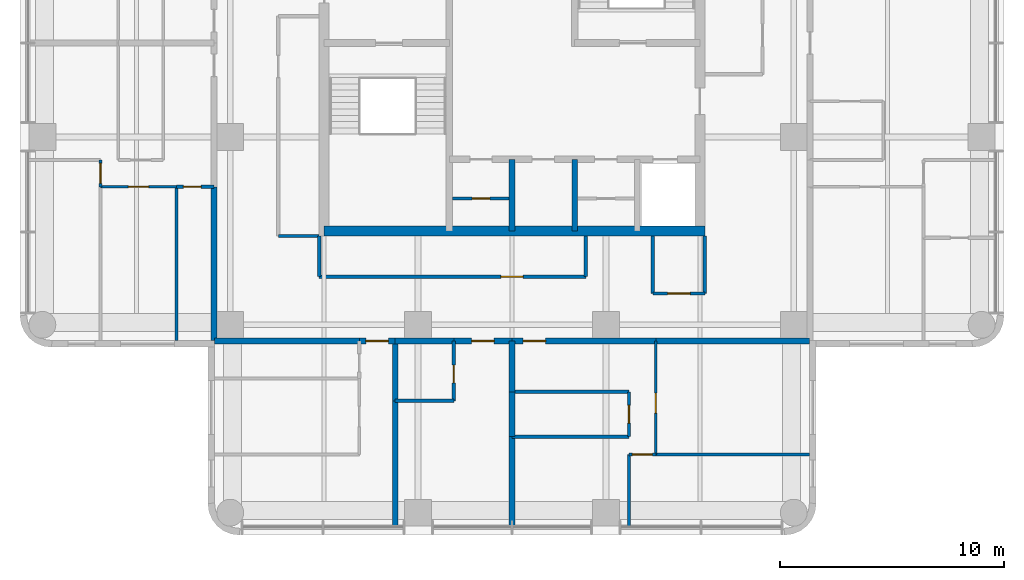
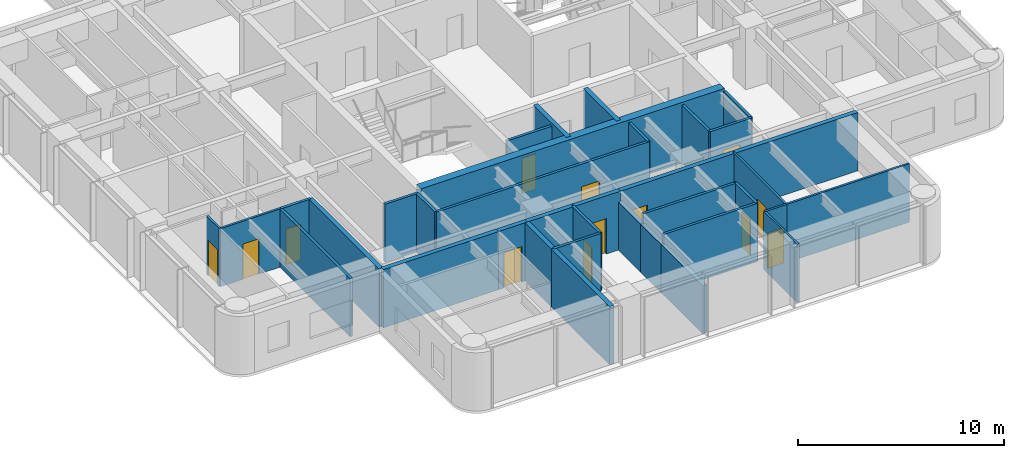
# One storey, part 4 of 10: 36 walls, 13 doors, 13 openings.
"""IFC4 building model written with IfcOpenShell, lengths in metres."""

from ifc_helpers import new_model, si_unit, direction, frame, frame_2d, origin, place, context, subcontext, project, spatial, rectangle, extrude, material, layer, layer_set, type_object, element, fill, save


model = new_model("IFC4")

# Units and contexts
model_context = context("Model", 3, precision=1e-05, world=origin(), true_north=direction((0.0, 1.0)))
body_context = subcontext(model_context, "Body", "Model", "MODEL_VIEW")
ifc_project = project(units=[si_unit("LENGTHUNIT", "METRE"), si_unit("AREAUNIT", "SQUARE_METRE"), si_unit("VOLUMEUNIT", "CUBIC_METRE"), si_unit("PLANEANGLEUNIT", "RADIAN"), si_unit("MASSUNIT", "GRAM", prefix="KILO")], contexts=[model_context])

# Site, building, storey
site_placement = place(None, origin())
site = spatial("IfcSite", under=ifc_project, at=site_placement, CompositionType="ELEMENT")
building_placement = place(site_placement, origin())
building = spatial("IfcBuilding", under=site, at=building_placement, Name="Torre Alcanfor", CompositionType="ELEMENT")
storey_placement = place(building_placement, frame((0.0, 0.0, 261.300048828125)))
storey = spatial("IfcBuildingStorey", under=building, at=storey_placement, Name="L68", CompositionType="ELEMENT", Elevation=261.300048828125)

# Wall, opening, door
ifc_material_1 = material(Name="Concrete block masonry, hollow blocks NMX-C-404 9 MPa", Category="masonry")
ifc_layer_1 = layer(ifc_material_1, 0.25)
ifc_layer_set_1 = layer_set([ifc_layer_1], Name="Apartment entrance wall 250 EI 60")
wall_type_1 = type_object("IfcWallType", Name="Apartment entrance wall 250 EI 60", PredefinedType="PARTITIONING", material=ifc_layer_set_1)
wall_1_placement = place(storey_placement, frame((35.8291015625, 16.074951171875, 0.0), z_axis=(0.0, 0.0, 1.0), x_axis=(-1.0, 0.0, 0.0)))
wall_1 = element("IfcWall", 1, at=wall_1_placement, inside=storey, type_object=wall_type_1, Name="Partition L68-CORR / L68-S1-LIVING", PredefinedType="PARTITIONING", context=body_context, shape_type="SweptSolid", body=[
    extrude(rectangle(XDim=6.42919921875, YDim=0.25, at=frame_2d((3.214599609375, 0.0))), origin(), (0.0, 0.0, 1.0), 3.449951171875),
])
opening_1_placement = place(wall_1_placement, frame((4.928955078125, 0.0, 0.0)))
opening_1 = element("IfcOpeningElement", 2, at=opening_1_placement, cuts=wall_1, Name="Opening D-A1", PredefinedType="OPENING", context=body_context, shape_type="SweptSolid", body=[
    extrude(rectangle(XDim=1.0, YDim=2.10009765625, at=frame_2d((0.5, 1.050048828125))), frame((0.0, 0.135009765625, 0.0), z_axis=(0.0, -1.0, 0.0), x_axis=(1.0, 0.0, 0.0)), (0.0, 0.0, 1.0), 0.27001953125),
])
ifc_material_2 = material(Name="Galvanised steel sheet ASTM A653", Category="steel")
door_type_1 = type_object("IfcDoorType", Name="Apartment entrance door FD60 1000x2100", OperationType="SINGLE_SWING_LEFT", PredefinedType="DOOR", material=ifc_material_2)
door_1_placement = place(opening_1_placement, origin())
door_1 = element("IfcDoor", 3, at=door_1_placement, inside=storey, type_object=door_type_1, Name="Apartment entrance L68-S1", OperationType="SINGLE_SWING_RIGHT", OverallHeight=2.10009765625, OverallWidth=1.0, PredefinedType="DOOR", context=body_context, shape_type="SweptSolid", body=[
    extrude(rectangle(XDim=1.0, YDim=2.10009765625, at=frame_2d((0.5, 1.050048828125))), frame((0.0, 0.02490234375, 0.0), z_axis=(0.0, -1.0, 0.0), x_axis=(1.0, 0.0, 0.0)), (0.0, 0.0, 1.0), 0.050048828125),
])
fill(opening_1, door_1)

# Wall
wall_2_placement = place(storey_placement, frame((42.699951171875, 16.074951171875, 0.0), z_axis=(0.0, 0.0, 1.0), x_axis=(-1.0, 0.0, 0.0)))
element("IfcWall", 4, at=wall_2_placement, inside=storey, type_object=wall_type_1, Name="Partition L68-CORR / L68-S1-BED2", PredefinedType="PARTITIONING", context=body_context, shape_type="SweptSolid", body=[
    extrude(rectangle(XDim=6.870849609375, YDim=0.25, at=frame_2d((3.435546875, 0.0))), origin(), (0.0, 0.0, 1.0), 3.449951171875),
])

# Wall, opening, door
wall_3_placement = place(storey_placement, frame((29.39990234375, 16.074951171875, 0.0), z_axis=(0.0, 0.0, 1.0), x_axis=(-1.0, 0.0, 0.0)))
wall_3 = element("IfcWall", 5, at=wall_3_placement, inside=storey, type_object=wall_type_1, Name="Partition L68-CORR / L68-S2A-STUDIO", PredefinedType="PARTITIONING", context=body_context, shape_type="SweptSolid", body=[
    extrude(rectangle(XDim=2.599853515625, YDim=0.25, at=frame_2d((1.2998046875, 0.0))), origin(), (0.0, 0.0, 1.0), 3.449951171875),
])
opening_2_placement = place(wall_3_placement, frame((0.800048828125, 0.0, 0.0)))
opening_2 = element("IfcOpeningElement", 6, at=opening_2_placement, cuts=wall_3, Name="Opening D-A1", PredefinedType="OPENING", context=body_context, shape_type="SweptSolid", body=[
    extrude(rectangle(XDim=1.0, YDim=2.10009765625, at=frame_2d((0.5, 1.050048828125))), frame((0.0, 0.135009765625, 0.0), z_axis=(0.0, -1.0, 0.0), x_axis=(1.0, 0.0, 0.0)), (0.0, 0.0, 1.0), 0.27001953125),
])
door_2_placement = place(opening_2_placement, origin())
door_2 = element("IfcDoor", 7, at=door_2_placement, inside=storey, type_object=door_type_1, Name="Apartment entrance L68-S2A", OperationType="SINGLE_SWING_LEFT", OverallHeight=2.10009765625, OverallWidth=1.0, PredefinedType="DOOR", context=body_context, shape_type="SweptSolid", body=[
    extrude(rectangle(XDim=1.0, YDim=2.10009765625, at=frame_2d((0.5, 1.050048828125))), frame((0.0, 0.02490234375, 0.0), z_axis=(0.0, -1.0, 0.0), x_axis=(1.0, 0.0, 0.0)), (0.0, 0.0, 1.0), 0.050048828125),
])
fill(opening_2, door_2)

# Wall
wall_4_placement = place(storey_placement, frame((26.800048828125, 16.074951171875, 0.0), z_axis=(0.0, 0.0, 1.0), x_axis=(-1.0, 0.0, 0.0)))
element("IfcWall", 8, at=wall_4_placement, inside=storey, type_object=wall_type_1, Name="Partition L68-CORR / L68-S2A-BATH", PredefinedType="PARTITIONING", context=body_context, shape_type="SweptSolid", body=[
    extrude(rectangle(XDim=2.629150390625, YDim=0.25, at=frame_2d((1.314453125, 0.0))), origin(), (0.0, 0.0, 1.0), 3.449951171875),
])

# Wall, opening, door
wall_5_placement = place(storey_placement, frame((24.1708984375, 16.074951171875, 0.0), z_axis=(0.0, 0.0, 1.0), x_axis=(-1.0, 0.0, 0.0)))
wall_5 = element("IfcWall", 9, at=wall_5_placement, inside=storey, type_object=wall_type_1, Name="Partition L68-CORR / L68-S2B-LIVING", PredefinedType="PARTITIONING", context=body_context, shape_type="SweptSolid", body=[
    extrude(rectangle(XDim=1.599853515625, YDim=0.25, at=frame_2d((0.7998046875, 0.0))), origin(), (0.0, 0.0, 1.0), 3.449951171875),
])
opening_3_placement = place(wall_5_placement, frame((0.300048828125, 0.0, 0.0)))
opening_3 = element("IfcOpeningElement", 10, at=opening_3_placement, cuts=wall_5, Name="Opening D-A1", PredefinedType="OPENING", context=body_context, shape_type="SweptSolid", body=[
    extrude(rectangle(XDim=1.0, YDim=2.10009765625, at=frame_2d((0.5, 1.050048828125))), frame((0.0, 0.135009765625, 0.0), z_axis=(0.0, -1.0, 0.0), x_axis=(1.0, 0.0, 0.0)), (0.0, 0.0, 1.0), 0.27001953125),
])
door_3_placement = place(opening_3_placement, origin())
door_3 = element("IfcDoor", 11, at=door_3_placement, inside=storey, type_object=door_type_1, Name="Apartment entrance L68-S2B", OperationType="SINGLE_SWING_LEFT", OverallHeight=2.10009765625, OverallWidth=1.0, PredefinedType="DOOR", context=body_context, shape_type="SweptSolid", body=[
    extrude(rectangle(XDim=1.0, YDim=2.10009765625, at=frame_2d((0.5, 1.050048828125))), frame((0.0, 0.02490234375, 0.0), z_axis=(0.0, -1.0, 0.0), x_axis=(1.0, 0.0, 0.0)), (0.0, 0.0, 1.0), 0.050048828125),
])
fill(opening_3, door_3)

# Walls
wall_6_placement = place(storey_placement, frame((22.571044921875, 16.074951171875, 0.0), z_axis=(0.0, 0.0, 1.0), x_axis=(-1.0, 0.0, 0.0)))
element("IfcWall", 12, at=wall_6_placement, inside=storey, type_object=wall_type_1, Name="Partition L68-CORR / L68-S2B-BATH", PredefinedType="PARTITIONING", context=body_context, shape_type="SweptSolid", body=[
    extrude(rectangle(XDim=6.470947265625, YDim=0.25, at=frame_2d((3.2353515625, 0.0))), origin(), (0.0, 0.0, 1.0), 3.449951171875),
])
wall_7_placement = place(storey_placement, frame((16.074951171875, 16.10009765625, 0.0), z_axis=(0.0, 0.0, 1.0), x_axis=(0.0, 1.0, 0.0)))
element("IfcWall", 13, at=wall_7_placement, inside=storey, type_object=wall_type_1, Name="Partition L68-CORR / L68-W1-BATH", PredefinedType="PARTITIONING", context=body_context, shape_type="SweptSolid", body=[
    extrude(rectangle(XDim=6.870849609375, YDim=0.25, at=frame_2d((3.435546875, 0.0))), origin(), (0.0, 0.0, 1.0), 3.449951171875),
])

# Wall, opening, door
ifc_material_3 = material(Name="Gypsum board on steel studs", Category="steel")
ifc_layer_2 = layer(ifc_material_3, 0.1201171875)
ifc_layer_set_2 = layer_set([ifc_layer_2], Name="Apartment partition 120")
wall_type_2 = type_object("IfcWallType", Name="Apartment partition 120", PredefinedType="PARTITIONING", material=ifc_layer_set_2)
wall_8_placement = place(storey_placement, frame((35.8291015625, 16.074951171875, 0.0), z_axis=(0.0, 0.0, 1.0), x_axis=(0.0, -1.0, 0.0)))
wall_8 = element("IfcWall", 14, at=wall_8_placement, inside=storey, type_object=wall_type_2, Name="Partition L68-S1-LIVING / L68-S1-BED2", PredefinedType="PARTITIONING", context=body_context, shape_type="SweptSolid", body=[
    extrude(rectangle(XDim=5.074951171875, YDim=0.1201171875, at=frame_2d((2.53759765625, 0.0))), origin(), (0.0, 0.0, 1.0), 3.449951171875),
])
opening_4_placement = place(wall_8_placement, frame((2.324951171875, 0.0, 0.0)))
opening_4 = element("IfcOpeningElement", 15, at=opening_4_placement, cuts=wall_8, Name="Opening D-R1", PredefinedType="OPENING", context=body_context, shape_type="SweptSolid", body=[
    extrude(rectangle(XDim=0.89990234375, YDim=2.10009765625, at=frame_2d((0.449951171875, 1.050048828125))), frame((0.0, 0.070068359375, 0.0), z_axis=(0.0, -1.0, 0.0), x_axis=(1.0, 0.0, 0.0)), (0.0, 0.0, 1.0), 0.14013671875),
])
ifc_material_4 = material(Name="Timber", Category="wood")
door_type_2 = type_object("IfcDoorType", Name="Internal door 900x2100", OperationType="SINGLE_SWING_LEFT", PredefinedType="DOOR", material=ifc_material_4)
door_4_placement = place(opening_4_placement, origin())
door_4 = element("IfcDoor", 16, at=door_4_placement, inside=storey, type_object=door_type_2, Name="Door L68-S1 bed2", OperationType="SINGLE_SWING_RIGHT", OverallHeight=2.10009765625, OverallWidth=0.89990234375, PredefinedType="DOOR", context=body_context, shape_type="SweptSolid", body=[
    extrude(rectangle(XDim=0.89990234375, YDim=2.10009765625, at=frame_2d((0.449951171875, 1.050048828125))), frame((0.0, 0.02490234375, 0.0), z_axis=(0.0, -1.0, 0.0), x_axis=(1.0, 0.0, 0.0)), (0.0, 0.0, 1.0), 0.050048828125),
])
fill(opening_4, door_4)

wall_9_placement = place(storey_placement, frame((35.8291015625, 11.0, 0.0), z_axis=(0.0, 0.0, 1.0), x_axis=(-1.0, 0.0, 0.0)))
wall_9 = element("IfcWall", 17, at=wall_9_placement, inside=storey, type_object=wall_type_2, Name="Partition L68-S1-LIVING / L68-S1-MASTER", PredefinedType="PARTITIONING", context=body_context, shape_type="SweptSolid", body=[
    extrude(rectangle(XDim=1.2001953125, YDim=0.1201171875, at=frame_2d((0.60009765625, 0.0))), origin(), (0.0, 0.0, 1.0), 3.449951171875),
])
opening_5_placement = place(wall_9_placement, frame((0.14892578125, 0.0, 0.0)))
opening_5 = element("IfcOpeningElement", 18, at=opening_5_placement, cuts=wall_9, Name="Opening D-R1", PredefinedType="OPENING", context=body_context, shape_type="SweptSolid", body=[
    extrude(rectangle(XDim=0.89990234375, YDim=2.10009765625, at=frame_2d((0.449951171875, 1.050048828125))), frame((0.0, 0.070068359375, 0.0), z_axis=(0.0, -1.0, 0.0), x_axis=(1.0, 0.0, 0.0)), (0.0, 0.0, 1.0), 0.14013671875),
])
door_5_placement = place(opening_5_placement, origin())
door_5 = element("IfcDoor", 19, at=door_5_placement, inside=storey, type_object=door_type_2, Name="Door L68-S1 master", OperationType="SINGLE_SWING_RIGHT", OverallHeight=2.10009765625, OverallWidth=0.89990234375, PredefinedType="DOOR", context=body_context, shape_type="SweptSolid", body=[
    extrude(rectangle(XDim=0.89990234375, YDim=2.10009765625, at=frame_2d((0.449951171875, 1.050048828125))), frame((0.0, 0.02490234375, 0.0), z_axis=(0.0, -1.0, 0.0), x_axis=(1.0, 0.0, 0.0)), (0.0, 0.0, 1.0), 0.050048828125),
])
fill(opening_5, door_5)

# Walls
wall_10_placement = place(storey_placement, frame((34.62890625, 11.0, 0.0), z_axis=(0.0, 0.0, 1.0), x_axis=(0.0, -1.0, 0.0)))
element("IfcWall", 20, at=wall_10_placement, inside=storey, type_object=wall_type_2, Name="Partition L68-S1-LIVING / L68-S1-MASTER", PredefinedType="PARTITIONING", context=body_context, shape_type="SweptSolid", body=[
    extrude(rectangle(XDim=3.25, YDim=0.1201171875, at=frame_2d((1.625, 0.0))), origin(), (0.0, 0.0, 1.0), 3.449951171875),
])
wall_11_placement = place(storey_placement, frame((35.8291015625, 11.0, 0.0), z_axis=(0.0, 0.0, 1.0), x_axis=(1.0, 0.0, 0.0)))
element("IfcWall", 21, at=wall_11_placement, inside=storey, type_object=wall_type_2, Name="Partition L68-S1-BED2 / L68-S1-MASTER", PredefinedType="PARTITIONING", context=body_context, shape_type="SweptSolid", body=[
    extrude(rectangle(XDim=6.870849609375, YDim=0.1201171875, at=frame_2d((3.435546875, 0.0))), origin(), (0.0, 0.0, 1.0), 3.449951171875),
])

# Wall, opening, door
wall_12_placement = place(storey_placement, frame((14.39990234375, 22.970947265625, 0.0), z_axis=(0.0, 0.0, 1.0), x_axis=(-1.0, 0.0, 0.0)))
wall_12 = element("IfcWall", 22, at=wall_12_placement, inside=storey, type_object=wall_type_2, Name="Partition L68-W1-LIVING / L68-W1-STUDY", PredefinedType="PARTITIONING", context=body_context, shape_type="SweptSolid", body=[
    extrude(rectangle(XDim=3.39990234375, YDim=0.1201171875, at=frame_2d((1.699951171875, 0.0))), origin(), (0.0, 0.0, 1.0), 3.449951171875),
])
opening_6_placement = place(wall_12_placement, frame((1.25, 0.0, 0.0)))
opening_6 = element("IfcOpeningElement", 23, at=opening_6_placement, cuts=wall_12, Name="Opening D-R1", PredefinedType="OPENING", context=body_context, shape_type="SweptSolid", body=[
    extrude(rectangle(XDim=0.89990234375, YDim=2.10009765625, at=frame_2d((0.449951171875, 1.050048828125))), frame((0.0, 0.070068359375, 0.0), z_axis=(0.0, -1.0, 0.0), x_axis=(1.0, 0.0, 0.0)), (0.0, 0.0, 1.0), 0.14013671875),
])
door_6_placement = place(opening_6_placement, origin())
door_6 = element("IfcDoor", 24, at=door_6_placement, inside=storey, type_object=door_type_2, Name="Door L68-W1 study", OperationType="SINGLE_SWING_LEFT", OverallHeight=2.10009765625, OverallWidth=0.89990234375, PredefinedType="DOOR", context=body_context, shape_type="SweptSolid", body=[
    extrude(rectangle(XDim=0.89990234375, YDim=2.10009765625, at=frame_2d((0.449951171875, 1.050048828125))), frame((0.0, 0.02490234375, 0.0), z_axis=(0.0, -1.0, 0.0), x_axis=(1.0, 0.0, 0.0)), (0.0, 0.0, 1.0), 0.050048828125),
])
fill(opening_6, door_6)

wall_13_placement = place(storey_placement, frame((11.0, 22.970947265625, 0.0), z_axis=(0.0, 0.0, 1.0), x_axis=(0.0, 1.0, 0.0)))
wall_13 = element("IfcWall", 25, at=wall_13_placement, inside=storey, type_object=wall_type_2, Name="Partition L68-W1-LIVING / L68-W1-MASTER", PredefinedType="PARTITIONING", context=body_context, shape_type="SweptSolid", body=[
    extrude(rectangle(XDim=1.199951171875, YDim=0.1201171875, at=frame_2d((0.60009765625, 0.0))), origin(), (0.0, 0.0, 1.0), 3.449951171875),
])
opening_7_placement = place(wall_13_placement, frame((0.14892578125, 0.0, 0.0)))
opening_7 = element("IfcOpeningElement", 26, at=opening_7_placement, cuts=wall_13, Name="Opening D-R1", PredefinedType="OPENING", context=body_context, shape_type="SweptSolid", body=[
    extrude(rectangle(XDim=0.89990234375, YDim=2.10009765625, at=frame_2d((0.449951171875, 1.050048828125))), frame((0.0, 0.070068359375, 0.0), z_axis=(0.0, -1.0, 0.0), x_axis=(1.0, 0.0, 0.0)), (0.0, 0.0, 1.0), 0.14013671875),
])
door_7_placement = place(opening_7_placement, origin())
door_7 = element("IfcDoor", 27, at=door_7_placement, inside=storey, type_object=door_type_2, Name="Door L68-W1 master", OperationType="SINGLE_SWING_RIGHT", OverallHeight=2.10009765625, OverallWidth=0.89990234375, PredefinedType="DOOR", context=body_context, shape_type="SweptSolid", body=[
    extrude(rectangle(XDim=0.89990234375, YDim=2.10009765625, at=frame_2d((0.449951171875, 1.050048828125))), frame((0.0, 0.02490234375, 0.0), z_axis=(0.0, -1.0, 0.0), x_axis=(1.0, 0.0, 0.0)), (0.0, 0.0, 1.0), 0.050048828125),
])
fill(opening_7, door_7)

# Walls
ifc_material_5 = material(Name="Concrete f'c 70 MPa", Category="concrete")
ifc_layer_3 = layer(ifc_material_5, 0.25)
ifc_layer_set_3 = layer_set([ifc_layer_3], Name="Core shaft wall 250 f'c70")
wall_type_3 = type_object("IfcWallType", Name="Core shaft wall 250 f'c70", PredefinedType="SHEAR", material=ifc_layer_set_3)
for number, where, z_axis, x_axis, name in (
    (28, (29.39990234375, 21.0, 0.0), (0.0, 0.0, 1.0), (0.0, 1.0, 0.0), "Core wall X294S L68"),
    (29, (32.199951171875, 21.0, 0.0), (0.0, 0.0, 1.0), (0.0, 1.0, 0.0), "Core wall X322S L68"),
):
    element("IfcWall", number, at=place(storey_placement, frame(where, z_axis=z_axis, x_axis=x_axis)), inside=storey, type_object=wall_type_3, Name=name, PredefinedType="SHEAR", context=body_context, shape_type="SweptSolid", body=[
        extrude(rectangle(XDim=3.199951171875, YDim=0.25, at=frame_2d((1.60009765625, 0.0))), origin(), (0.0, 0.0, 1.0), 3.599853515625),
    ])
ifc_material_6 = material(Name="Concrete f'c 70 MPa", Category="concrete")
ifc_layer_4 = layer(ifc_material_6, 0.449951171875)
ifc_layer_set_4 = layer_set([ifc_layer_4], Name="Core wall 450 f'c70")
wall_type_4 = type_object("IfcWallType", Name="Core wall 450 f'c70", PredefinedType="SHEAR", material=ifc_layer_set_4)
wall_14_placement = place(storey_placement, frame((21.0, 21.0, 0.0), z_axis=(0.0, 0.0, 1.0), x_axis=(1.0, 0.0, 0.0)))
element("IfcWall", 30, at=wall_14_placement, inside=storey, type_object=wall_type_4, Name="Core wall OUT-S L68", PredefinedType="SHEAR", context=body_context, shape_type="SweptSolid", body=[
    extrude(rectangle(XDim=17.02490234375, YDim=0.449951171875, at=frame_2d((8.512451171875, 0.0))), origin(), (0.0, 0.0, 1.0), 3.599853515625),
])
ifc_material_7 = material(Name="Concrete block masonry, hollow blocks NMX-C-404 9 MPa", Category="masonry")
ifc_layer_5 = layer(ifc_material_7, 0.25)
ifc_layer_set_5 = layer_set([ifc_layer_5], Name="Party wall 250 EI 60")
wall_type_5 = type_object("IfcWallType", Name="Party wall 250 EI 60", PredefinedType="PARTITIONING", material=ifc_layer_set_5)
wall_15_placement = place(storey_placement, frame((29.39990234375, 13.800048828125, 0.0), z_axis=(0.0, 0.0, 1.0), x_axis=(0.0, -1.0, 0.0)))
element("IfcWall", 31, at=wall_15_placement, inside=storey, type_object=wall_type_5, Name="Partition L68-S1-BATH / L68-S2A-STUDIO", PredefinedType="PARTITIONING", context=body_context, shape_type="SweptSolid", body=[
    extrude(rectangle(XDim=2.0, YDim=0.25, at=frame_2d((1.0, 0.0))), origin(), (0.0, 0.0, 1.0), 2.847900390625),
])
wall_16_placement = place(storey_placement, frame((29.39990234375, 7.75, 0.0), z_axis=(0.0, 0.0, 1.0), x_axis=(0.0, 1.0, 0.0)))
element("IfcWall", 32, at=wall_16_placement, inside=storey, type_object=wall_type_5, Name="Partition L68-S1-LIVING / L68-S2A-STUDIO", PredefinedType="PARTITIONING", context=body_context, shape_type="SweptSolid", body=[
    extrude(rectangle(XDim=4.050048828125, YDim=0.25, at=frame_2d((2.02490234375, 0.0))), origin(), (0.0, 0.0, 1.0), 2.847900390625),
])
wall_17_placement = place(storey_placement, frame((29.39990234375, 13.800048828125, 0.0), z_axis=(0.0, 0.0, 1.0), x_axis=(0.0, 1.0, 0.0)))
element("IfcWall", 33, at=wall_17_placement, inside=storey, type_object=wall_type_5, Name="Partition L68-S1-LIVING / L68-S2A-STUDIO", PredefinedType="PARTITIONING", context=body_context, shape_type="SweptSolid", body=[
    extrude(rectangle(XDim=2.27490234375, YDim=0.25, at=frame_2d((1.137451171875, 0.0))), origin(), (0.0, 0.0, 1.0), 2.847900390625),
])
wall_18_placement = place(storey_placement, frame((24.1708984375, 7.75, 0.0), z_axis=(0.0, 0.0, 1.0), x_axis=(0.0, 1.0, 0.0)))
element("IfcWall", 34, at=wall_18_placement, inside=storey, type_object=wall_type_5, Name="Partition L68-S2A-STUDIO / L68-S2B-LIVING", PredefinedType="PARTITIONING", context=body_context, shape_type="SweptSolid", body=[
    extrude(rectangle(XDim=5.64990234375, YDim=0.25, at=frame_2d((2.824951171875, 0.0))), origin(), (0.0, 0.0, 1.0), 3.449951171875),
])
wall_19_placement = place(storey_placement, frame((24.1708984375, 13.39990234375, 0.0), z_axis=(0.0, 0.0, 1.0), x_axis=(0.0, 1.0, 0.0)))
element("IfcWall", 35, at=wall_19_placement, inside=storey, type_object=wall_type_5, Name="Partition L68-S2A-BATH / L68-S2B-LIVING", PredefinedType="PARTITIONING", context=body_context, shape_type="SweptSolid", body=[
    extrude(rectangle(XDim=2.675048828125, YDim=0.25, at=frame_2d((1.33740234375, 0.0))), origin(), (0.0, 0.0, 1.0), 3.449951171875),
])
ifc_material_8 = material(Name="Concrete block masonry, hollow blocks NMX-C-404 9 MPa", Category="masonry")
ifc_layer_6 = layer(ifc_material_8, 0.14990234375)
ifc_layer_set_6 = layer_set([ifc_layer_6], Name="Residents' room partition 150")
wall_type_6 = type_object("IfcWallType", Name="Residents' room partition 150", PredefinedType="PARTITIONING", material=ifc_layer_set_6)
wall_20_placement = place(storey_placement, frame((20.77490234375, 20.77490234375, 0.0), z_axis=(0.0, 0.0, 1.0), x_axis=(0.0, -1.0, 0.0)))
element("IfcWall", 36, at=wall_20_placement, inside=storey, type_object=wall_type_6, Name="Partition L68-CORR / L68-G05", PredefinedType="PARTITIONING", context=body_context, shape_type="SweptSolid", body=[
    extrude(rectangle(XDim=1.824951171875, YDim=0.14990234375, at=frame_2d((0.91259765625, 0.0))), origin(), (0.0, 0.0, 1.0), 3.449951171875),
])

# Wall, opening, door
wall_21_placement = place(storey_placement, frame((20.77490234375, 18.949951171875, 0.0), z_axis=(0.0, 0.0, 1.0), x_axis=(1.0, 0.0, 0.0)))
wall_21 = element("IfcWall", 37, at=wall_21_placement, inside=storey, type_object=wall_type_6, Name="Partition L68-CORR / L68-G05", PredefinedType="PARTITIONING", context=body_context, shape_type="SweptSolid", body=[
    extrude(rectangle(XDim=11.925048828125, YDim=0.14990234375, at=frame_2d((5.96240234375, 0.0))), origin(), (0.0, 0.0, 1.0), 3.449951171875),
])
opening_8_placement = place(wall_21_placement, frame((8.125, 0.0, 0.0)))
opening_8 = element("IfcOpeningElement", 38, at=opening_8_placement, cuts=wall_21, Name="Opening D-M1", PredefinedType="OPENING", context=body_context, shape_type="SweptSolid", body=[
    extrude(rectangle(XDim=1.0, YDim=2.10009765625, at=frame_2d((0.5, 1.050048828125))), frame((0.0, 0.0849609375, 0.0), z_axis=(0.0, -1.0, 0.0), x_axis=(1.0, 0.0, 0.0)), (0.0, 0.0, 1.0), 0.169921875),
])
ifc_material_9 = material(Name="Timber", Category="wood")
door_type_3 = type_object("IfcDoorType", Name="Residents' room door 1000x2100", OperationType="SINGLE_SWING_LEFT", PredefinedType="DOOR", material=ifc_material_9)
door_8_placement = place(opening_8_placement, origin())
door_8 = element("IfcDoor", 39, at=door_8_placement, inside=storey, type_object=door_type_3, Name="Door L68-G05 residents' lockers", OperationType="SINGLE_SWING_RIGHT", OverallHeight=2.10009765625, OverallWidth=1.0, PredefinedType="DOOR", context=body_context, shape_type="SweptSolid", body=[
    extrude(rectangle(XDim=1.0, YDim=2.10009765625, at=frame_2d((0.5, 1.050048828125))), frame((0.0, 0.02490234375, 0.0), z_axis=(0.0, -1.0, 0.0), x_axis=(1.0, 0.0, 0.0)), (0.0, 0.0, 1.0), 0.050048828125),
])
fill(opening_8, door_8)

# Walls
wall_22_placement = place(storey_placement, frame((32.699951171875, 18.949951171875, 0.0), z_axis=(0.0, 0.0, 1.0), x_axis=(0.0, 1.0, 0.0)))
element("IfcWall", 40, at=wall_22_placement, inside=storey, type_object=wall_type_6, Name="Partition L68-CORR / L68-G05", PredefinedType="PARTITIONING", context=body_context, shape_type="SweptSolid", body=[
    extrude(rectangle(XDim=1.824951171875, YDim=0.14990234375, at=frame_2d((0.91259765625, 0.0))), origin(), (0.0, 0.0, 1.0), 3.449951171875),
])
wall_23_placement = place(storey_placement, frame((35.699951171875, 20.77490234375, 0.0), z_axis=(0.0, 0.0, 1.0), x_axis=(0.0, -1.0, 0.0)))
element("IfcWall", 41, at=wall_23_placement, inside=storey, type_object=wall_type_6, Name="Partition L68-CORR / L68-G06", PredefinedType="PARTITIONING", context=body_context, shape_type="SweptSolid", body=[
    extrude(rectangle(XDim=2.574951171875, YDim=0.14990234375, at=frame_2d((1.28759765625, 0.0))), origin(), (0.0, 0.0, 1.0), 3.449951171875),
])

# Wall, opening, door
wall_24_placement = place(storey_placement, frame((35.699951171875, 18.199951171875, 0.0), z_axis=(0.0, 0.0, 1.0), x_axis=(1.0, 0.0, 0.0)))
wall_24 = element("IfcWall", 42, at=wall_24_placement, inside=storey, type_object=wall_type_6, Name="Partition L68-CORR / L68-G06", PredefinedType="PARTITIONING", context=body_context, shape_type="SweptSolid", body=[
    extrude(rectangle(XDim=2.324951171875, YDim=0.14990234375, at=frame_2d((1.16259765625, 0.0))), origin(), (0.0, 0.0, 1.0), 3.449951171875),
])
opening_9_placement = place(wall_24_placement, frame((0.66259765625, 0.0, 0.0)))
opening_9 = element("IfcOpeningElement", 43, at=opening_9_placement, cuts=wall_24, Name="Opening D-M1", PredefinedType="OPENING", context=body_context, shape_type="SweptSolid", body=[
    extrude(rectangle(XDim=1.0, YDim=2.10009765625, at=frame_2d((0.5, 1.050048828125))), frame((0.0, 0.0849609375, 0.0), z_axis=(0.0, -1.0, 0.0), x_axis=(1.0, 0.0, 0.0)), (0.0, 0.0, 1.0), 0.169921875),
])
door_9_placement = place(opening_9_placement, origin())
door_9 = element("IfcDoor", 44, at=door_9_placement, inside=storey, type_object=door_type_3, Name="Door L68-G06 parcel room", OperationType="SINGLE_SWING_LEFT", OverallHeight=2.10009765625, OverallWidth=1.0, PredefinedType="DOOR", context=body_context, shape_type="SweptSolid", body=[
    extrude(rectangle(XDim=1.0, YDim=2.10009765625, at=frame_2d((0.5, 1.050048828125))), frame((0.0, 0.02490234375, 0.0), z_axis=(0.0, -1.0, 0.0), x_axis=(1.0, 0.0, 0.0)), (0.0, 0.0, 1.0), 0.050048828125),
])
fill(opening_9, door_9)

# Walls
wall_25_placement = place(storey_placement, frame((38.02490234375, 18.199951171875, 0.0), z_axis=(0.0, 0.0, 1.0), x_axis=(0.0, 1.0, 0.0)))
element("IfcWall", 45, at=wall_25_placement, inside=storey, type_object=wall_type_6, Name="Partition L68-CORR / L68-G06", PredefinedType="PARTITIONING", context=body_context, shape_type="SweptSolid", body=[
    extrude(rectangle(XDim=2.574951171875, YDim=0.14990234375, at=frame_2d((1.28759765625, 0.0))), origin(), (0.0, 0.0, 1.0), 3.449951171875),
])
wall_26_placement = place(storey_placement, frame((18.949951171875, 20.77490234375, 0.0), z_axis=(0.0, 0.0, 1.0), x_axis=(1.0, 0.0, 0.0)))
element("IfcWall", 46, at=wall_26_placement, inside=storey, type_object=wall_type_6, Name="Partition L68-CORR / L68-G07", PredefinedType="PARTITIONING", context=body_context, shape_type="SweptSolid", body=[
    extrude(rectangle(XDim=1.824951171875, YDim=0.14990234375, at=frame_2d((0.91259765625, 0.0))), origin(), (0.0, 0.0, 1.0), 3.449951171875),
])

# Wall, opening, door
wall_27_placement = place(storey_placement, frame((26.75, 22.449951171875, 0.0), z_axis=(0.0, 0.0, 1.0), x_axis=(1.0, 0.0, 0.0)))
wall_27 = element("IfcWall", 47, at=wall_27_placement, inside=storey, type_object=wall_type_6, Name="Partition L68-PA1R / L68-PA1C", PredefinedType="PARTITIONING", context=body_context, shape_type="SweptSolid", body=[
    extrude(rectangle(XDim=2.52490234375, YDim=0.14990234375, at=frame_2d((1.262451171875, 0.0))), origin(), (0.0, 0.0, 1.0), 3.449951171875),
])
opening_10_placement = place(wall_27_placement, frame((0.862548828125, 0.0, 0.0)))
opening_10 = element("IfcOpeningElement", 48, at=opening_10_placement, cuts=wall_27, Name="Opening D-R2", PredefinedType="OPENING", context=body_context, shape_type="SweptSolid", body=[
    extrude(rectangle(XDim=0.800048828125, YDim=2.10009765625, at=frame_2d((0.39990234375, 1.050048828125))), frame((0.0, 0.0849609375, 0.0), z_axis=(0.0, -1.0, 0.0), x_axis=(1.0, 0.0, 0.0)), (0.0, 0.0, 1.0), 0.169921875),
])
ifc_material_10 = material(Name="Timber", Category="wood")
door_type_4 = type_object("IfcDoorType", Name="Bathroom door 800x2100", OperationType="SINGLE_SWING_LEFT", PredefinedType="DOOR", material=ifc_material_10)
door_10_placement = place(opening_10_placement, frame((0.800048828125, 0.0, 0.0), z_axis=(0.0, 0.0, 1.0), x_axis=(-1.0, 0.0, 0.0)))
door_10 = element("IfcDoor", 49, at=door_10_placement, inside=storey, type_object=door_type_4, Name="Battery and UPS cupboard door L68", OperationType="SINGLE_SWING_RIGHT", OverallHeight=2.10009765625, OverallWidth=0.800048828125, PredefinedType="DOOR", context=body_context, shape_type="SweptSolid", body=[
    extrude(rectangle(XDim=0.800048828125, YDim=2.10009765625, at=frame_2d((0.400146484375, 1.050048828125))), frame((0.0, 0.025146484375, 0.0), z_axis=(0.0, -1.0, 0.0), x_axis=(1.0, 0.0, 0.0)), (0.0, 0.0, 1.0), 0.050048828125),
])
fill(opening_10, door_10)

# Wall
ifc_material_11 = material(Name="Cement board on steel studs", Category="steel")
ifc_layer_7 = layer(ifc_material_11, 0.14990234375)
ifc_layer_set_7 = layer_set([ifc_layer_7], Name="Wet area partition 150")
wall_type_7 = type_object("IfcWallType", Name="Wet area partition 150", PredefinedType="PARTITIONING", material=ifc_layer_set_7)
wall_28_placement = place(storey_placement, frame((29.39990234375, 11.800048828125, 0.0), z_axis=(0.0, 0.0, 1.0), x_axis=(1.0, 0.0, 0.0)))
element("IfcWall", 50, at=wall_28_placement, inside=storey, type_object=wall_type_7, Name="Partition L68-S1-BATH / L68-S1-LIVING", PredefinedType="PARTITIONING", context=body_context, shape_type="SweptSolid", body=[
    extrude(rectangle(XDim=5.22900390625, YDim=0.14990234375, at=frame_2d((2.614501953125, 0.0))), origin(), (0.0, 0.0, 1.0), 3.449951171875),
])

# Wall, opening, door
wall_29_placement = place(storey_placement, frame((34.62890625, 11.800048828125, 0.0), z_axis=(0.0, 0.0, 1.0), x_axis=(0.0, 1.0, 0.0)))
wall_29 = element("IfcWall", 51, at=wall_29_placement, inside=storey, type_object=wall_type_7, Name="Partition L68-S1-BATH / L68-S1-LIVING", PredefinedType="PARTITIONING", context=body_context, shape_type="SweptSolid", body=[
    extrude(rectangle(XDim=2.0, YDim=0.14990234375, at=frame_2d((1.0, 0.0))), origin(), (0.0, 0.0, 1.0), 3.449951171875),
])
opening_11_placement = place(wall_29_placement, frame((0.60009765625, 0.0, 0.0)))
opening_11 = element("IfcOpeningElement", 52, at=opening_11_placement, cuts=wall_29, Name="Opening D-R2", PredefinedType="OPENING", context=body_context, shape_type="SweptSolid", body=[
    extrude(rectangle(XDim=0.800048828125, YDim=2.10009765625, at=frame_2d((0.39990234375, 1.050048828125))), frame((0.0, 0.0849609375, 0.0), z_axis=(0.0, -1.0, 0.0), x_axis=(1.0, 0.0, 0.0)), (0.0, 0.0, 1.0), 0.169921875),
])
door_11_placement = place(opening_11_placement, origin())
door_11 = element("IfcDoor", 53, at=door_11_placement, inside=storey, type_object=door_type_4, Name="Door L68-S1 bath", OperationType="SINGLE_SWING_LEFT", OverallHeight=2.10009765625, OverallWidth=0.800048828125, PredefinedType="DOOR", context=body_context, shape_type="SweptSolid", body=[
    extrude(rectangle(XDim=0.800048828125, YDim=2.10009765625, at=frame_2d((0.39990234375, 1.050048828125))), frame((0.0, 0.02490234375, 0.0), z_axis=(0.0, -1.0, 0.0), x_axis=(1.0, 0.0, 0.0)), (0.0, 0.0, 1.0), 0.050048828125),
])
fill(opening_11, door_11)

# Walls
wall_30_placement = place(storey_placement, frame((34.62890625, 13.800048828125, 0.0), z_axis=(0.0, 0.0, 1.0), x_axis=(-1.0, 0.0, 0.0)))
element("IfcWall", 54, at=wall_30_placement, inside=storey, type_object=wall_type_7, Name="Partition L68-S1-BATH / L68-S1-LIVING", PredefinedType="PARTITIONING", context=body_context, shape_type="SweptSolid", body=[
    extrude(rectangle(XDim=5.22900390625, YDim=0.14990234375, at=frame_2d((2.614501953125, 0.0))), origin(), (0.0, 0.0, 1.0), 3.449951171875),
])
wall_31_placement = place(storey_placement, frame((24.1708984375, 13.39990234375, 0.0), z_axis=(0.0, 0.0, 1.0), x_axis=(1.0, 0.0, 0.0)))
element("IfcWall", 55, at=wall_31_placement, inside=storey, type_object=wall_type_7, Name="Partition L68-S2A-STUDIO / L68-S2A-BATH", PredefinedType="PARTITIONING", context=body_context, shape_type="SweptSolid", body=[
    extrude(rectangle(XDim=2.629150390625, YDim=0.14990234375, at=frame_2d((1.314453125, 0.0))), origin(), (0.0, 0.0, 1.0), 3.449951171875),
])

# Wall, opening, door
wall_32_placement = place(storey_placement, frame((26.800048828125, 13.39990234375, 0.0), z_axis=(0.0, 0.0, 1.0), x_axis=(0.0, 1.0, 0.0)))
wall_32 = element("IfcWall", 56, at=wall_32_placement, inside=storey, type_object=wall_type_7, Name="Partition L68-S2A-STUDIO / L68-S2A-BATH", PredefinedType="PARTITIONING", context=body_context, shape_type="SweptSolid", body=[
    extrude(rectangle(XDim=2.675048828125, YDim=0.14990234375, at=frame_2d((1.33740234375, 0.0))), origin(), (0.0, 0.0, 1.0), 3.449951171875),
])
opening_12_placement = place(wall_32_placement, frame((0.800048828125, 0.0, 0.0)))
opening_12 = element("IfcOpeningElement", 57, at=opening_12_placement, cuts=wall_32, Name="Opening D-R2", PredefinedType="OPENING", context=body_context, shape_type="SweptSolid", body=[
    extrude(rectangle(XDim=0.800048828125, YDim=2.10009765625, at=frame_2d((0.39990234375, 1.050048828125))), frame((0.0, 0.0849609375, 0.0), z_axis=(0.0, -1.0, 0.0), x_axis=(1.0, 0.0, 0.0)), (0.0, 0.0, 1.0), 0.169921875),
])
door_12_placement = place(opening_12_placement, origin())
door_12 = element("IfcDoor", 58, at=door_12_placement, inside=storey, type_object=door_type_4, Name="Door L68-S2A bath", OperationType="SINGLE_SWING_LEFT", OverallHeight=2.10009765625, OverallWidth=0.800048828125, PredefinedType="DOOR", context=body_context, shape_type="SweptSolid", body=[
    extrude(rectangle(XDim=0.800048828125, YDim=2.10009765625, at=frame_2d((0.39990234375, 1.050048828125))), frame((0.0, 0.02490234375, 0.0), z_axis=(0.0, -1.0, 0.0), x_axis=(1.0, 0.0, 0.0)), (0.0, 0.0, 1.0), 0.050048828125),
])
fill(opening_12, door_12)

wall_33_placement = place(storey_placement, frame((16.074951171875, 22.970947265625, 0.0), z_axis=(0.0, 0.0, 1.0), x_axis=(-1.0, 0.0, 0.0)))
wall_33 = element("IfcWall", 59, at=wall_33_placement, inside=storey, type_object=wall_type_7, Name="Partition L68-W1-LIVING / L68-W1-BATH", PredefinedType="PARTITIONING", context=body_context, shape_type="SweptSolid", body=[
    extrude(rectangle(XDim=1.675048828125, YDim=0.14990234375, at=frame_2d((0.83740234375, 0.0))), origin(), (0.0, 0.0, 1.0), 3.449951171875),
])
opening_13_placement = place(wall_33_placement, frame((0.574951171875, 0.0, 0.0)))
opening_13 = element("IfcOpeningElement", 60, at=opening_13_placement, cuts=wall_33, Name="Opening D-R2", PredefinedType="OPENING", context=body_context, shape_type="SweptSolid", body=[
    extrude(rectangle(XDim=0.800048828125, YDim=2.10009765625, at=frame_2d((0.39990234375, 1.050048828125))), frame((0.0, 0.0849609375, 0.0), z_axis=(0.0, -1.0, 0.0), x_axis=(1.0, 0.0, 0.0)), (0.0, 0.0, 1.0), 0.169921875),
])
door_13_placement = place(opening_13_placement, origin())
door_13 = element("IfcDoor", 61, at=door_13_placement, inside=storey, type_object=door_type_4, Name="Door L68-W1 bath", OperationType="SINGLE_SWING_RIGHT", OverallHeight=2.10009765625, OverallWidth=0.800048828125, PredefinedType="DOOR", context=body_context, shape_type="SweptSolid", body=[
    extrude(rectangle(XDim=0.800048828125, YDim=2.10009765625, at=frame_2d((0.39990234375, 1.050048828125))), frame((0.0, 0.02490234375, 0.0), z_axis=(0.0, -1.0, 0.0), x_axis=(1.0, 0.0, 0.0)), (0.0, 0.0, 1.0), 0.050048828125),
])
fill(opening_13, door_13)

# Wall
wall_34_placement = place(storey_placement, frame((14.39990234375, 22.970947265625, 0.0), z_axis=(0.0, 0.0, 1.0), x_axis=(0.0, -1.0, 0.0)))
element("IfcWall", 62, at=wall_34_placement, inside=storey, type_object=wall_type_7, Name="Partition L68-W1-BATH / L68-W1-STUDY", PredefinedType="PARTITIONING", context=body_context, shape_type="SweptSolid", body=[
    extrude(rectangle(XDim=6.870849609375, YDim=0.14990234375, at=frame_2d((3.435546875, 0.0))), origin(), (0.0, 0.0, 1.0), 3.449951171875),
])

save(model, "model.ifc")
